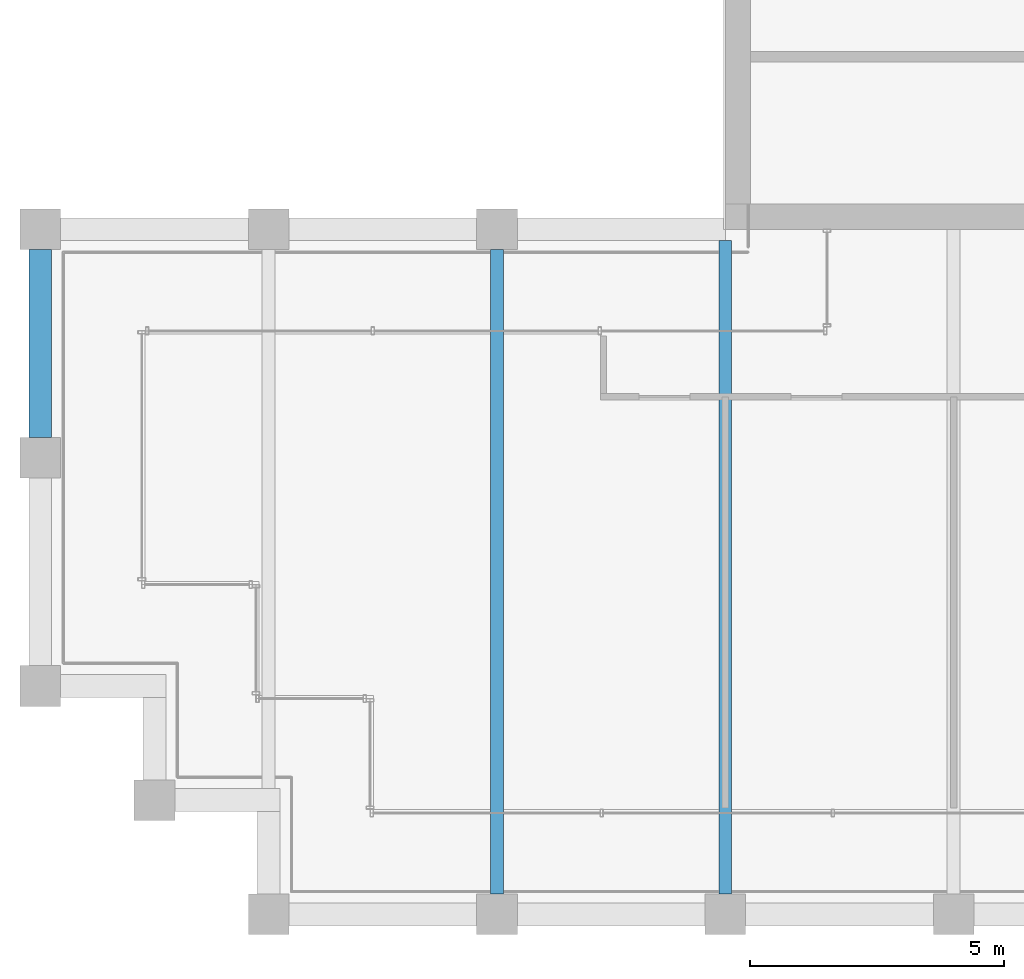
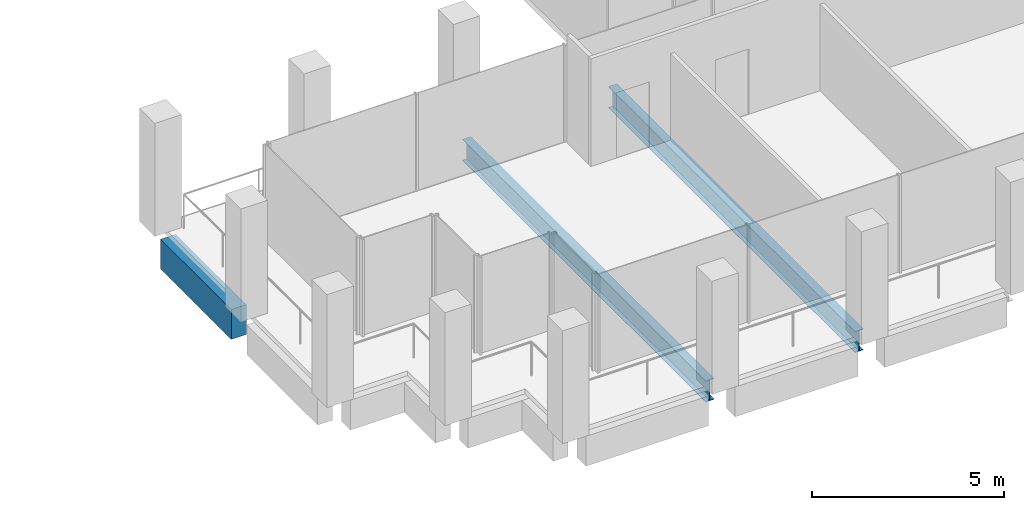
# One storey, part 4 of 30: 3 beams.
"""IFC4 building model written with IfcOpenShell, lengths in metres."""

from ifc_helpers import new_model, si_unit, direction, frame, origin, origin_2d, place, context, subcontext, project, spatial, rectangle, i_section, extrude, material, material_profile, profile_set, type_object, element, save


model = new_model("IFC4")

# Units and contexts
model_context = context("Model", 3, precision=1e-05, world=origin(), true_north=direction((0.0, 1.0)))
body_context = subcontext(model_context, "Body", "Model", "MODEL_VIEW")
ifc_project = project(units=[si_unit("LENGTHUNIT", "METRE"), si_unit("AREAUNIT", "SQUARE_METRE"), si_unit("VOLUMEUNIT", "CUBIC_METRE"), si_unit("PLANEANGLEUNIT", "RADIAN"), si_unit("MASSUNIT", "GRAM", prefix="KILO")], contexts=[model_context])

# Site, building, storey
site_placement = place(None, origin())
site = spatial("IfcSite", under=ifc_project, at=site_placement, CompositionType="ELEMENT")
building_placement = place(site_placement, origin())
building = spatial("IfcBuilding", under=site, at=building_placement, Name="Altepetl Exchange Towers", CompositionType="ELEMENT")
storey_placement = place(building_placement, frame((0.0, 0.0, 235.199951171875)))
storey = spatial("IfcBuildingStorey", under=building, at=storey_placement, Name="L60", CompositionType="ELEMENT", Elevation=235.199951171875)

# Beams
ifc_material_1 = material(Name="Steel S355", Category="steel")
ifc_material_profile_1 = material_profile(ifc_material_1, i_section(OverallWidth=0.2529296875, OverallDepth=0.677978515625, WebThickness=0.01171875, FlangeThickness=0.016357421875, at=origin_2d()), Name="W27X84")
ifc_profile_set_1 = profile_set([ifc_material_profile_1], Name="Steel S355")
beam_type_1 = type_object("IfcBeamType", Name="Floor beam W27X84", PredefinedType="BEAM", material=ifc_profile_set_1)
beam_1_placement = place(storey_placement, frame((36.0, 27.39990234375, -0.489013671875), z_axis=(0.0, 1.0, 0.0), x_axis=(-1.0, 0.0, 0.0)))
element("IfcBeam", 1, at=beam_1_placement, inside=storey, type_object=beam_type_1, Name="bm:A:L60:013", PredefinedType="BEAM", context=body_context, shape_type="SweptSolid", body=[
    extrude(i_section(OverallWidth=0.2529296875, OverallDepth=0.677978515625, WebThickness=0.01171875, FlangeThickness=0.016357421875, at=origin_2d()), origin(), (0.0, 0.0, 1.0), 12.7001953125),
])
beam_2_placement = place(storey_placement, frame((40.5, 27.39990234375, -0.489013671875), z_axis=(0.0, 1.0, 0.0), x_axis=(-1.0, 0.0, 0.0)))
element("IfcBeam", 2, at=beam_2_placement, inside=storey, type_object=beam_type_1, Name="bm:A:L60:014", PredefinedType="BEAM", context=body_context, shape_type="SweptSolid", body=[
    extrude(i_section(OverallWidth=0.2529296875, OverallDepth=0.677978515625, WebThickness=0.01171875, FlangeThickness=0.016357421875, at=origin_2d()), origin(), (0.0, 0.0, 1.0), 12.875),
])
ifc_material_2 = material(Name="Concrete C50/60 precast with cantera blanca facing", Category="concrete")
ifc_material_profile_2 = material_profile(ifc_material_2, rectangle(XDim=0.449951171875, YDim=0.949951171875, at=origin_2d()), Name="450 x 950")
ifc_profile_set_2 = profile_set([ifc_material_profile_2], Name="Concrete C50/60 precast with cantera blanca facing")
beam_type_2 = type_object("IfcBeamType", Name="Spandrel beam 450x950 cantera blanca", PredefinedType="SPANDREL", material=ifc_profile_set_2)
beam_3_placement = place(storey_placement, frame((27.0, 40.10009765625, -0.625), z_axis=(0.0, -1.0, 0.0), x_axis=(1.0, 0.0, 0.0)))
element("IfcBeam", 3, at=beam_3_placement, inside=storey, type_object=beam_type_2, Name="sp:A:L60:036", PredefinedType="SPANDREL", context=body_context, shape_type="SweptSolid", body=[
    extrude(rectangle(XDim=0.449951171875, YDim=0.949951171875, at=origin_2d()), origin(), (0.0, 0.0, 1.0), 3.7001953125),
])

save(model, "model.ifc")
